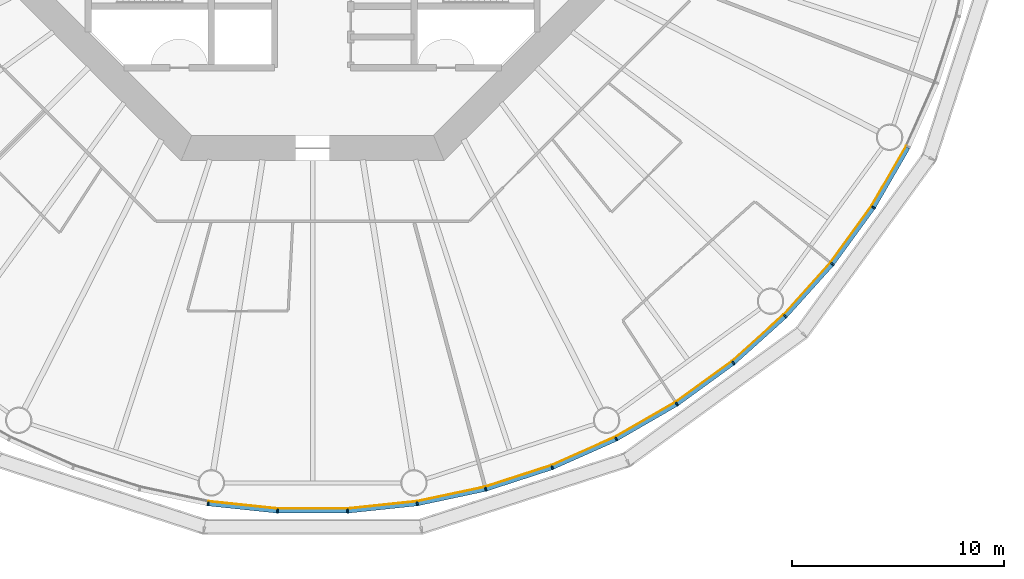
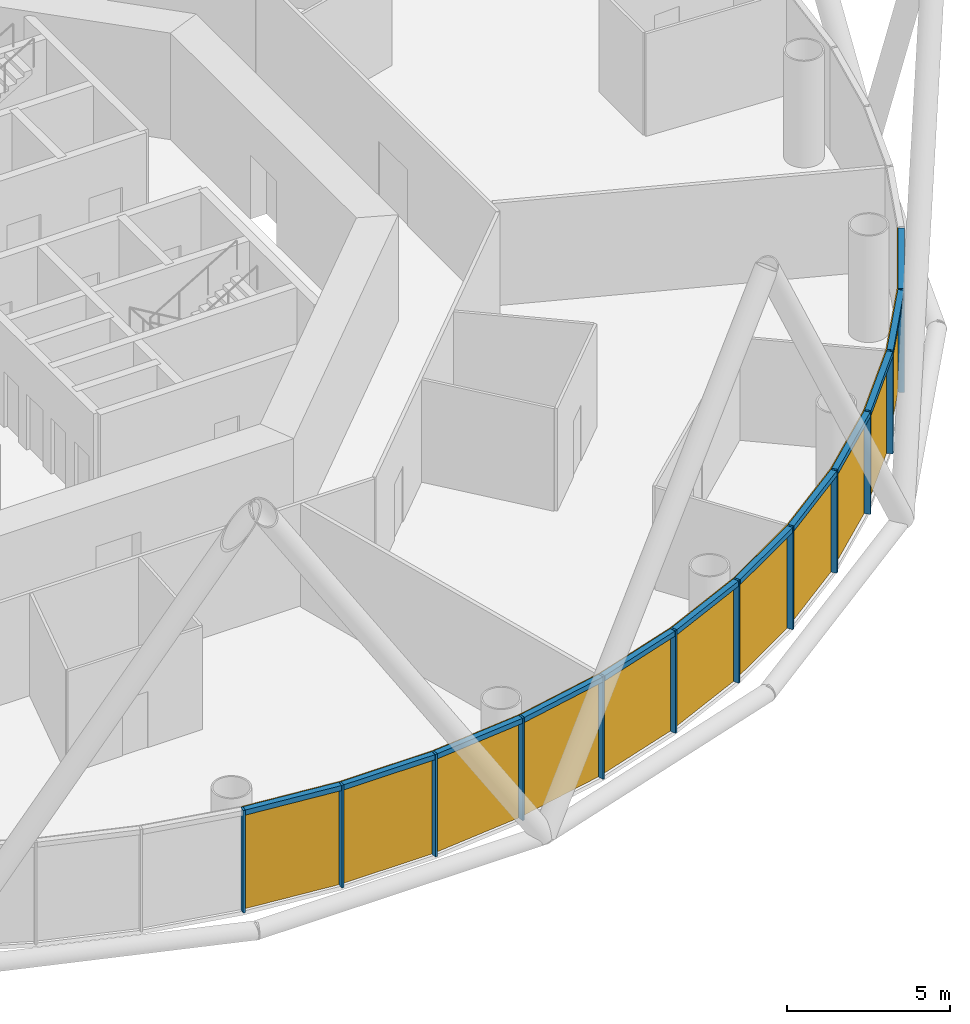
# One storey, part 8 of 13: 24 members, 4 curtain walls.
"""IFC4 building model written with IfcOpenShell, lengths in metres."""

import ifcopenshell
import ifcopenshell.guid

model = None  # the IFC model being written
_history = None  # IfcOwnerHistory: only IFC2X3 demands one
_inside = {}  # id of a spatial element -> (the spatial element, [elements in it])
_under = {}  # id of a project, library or spatial element -> (it, [spatial elements below it])
_declared = {}  # id of a project -> (the project, [libraries it declares])
_typed = {}  # id of a type object -> (the type object, [elements of that type])
_made_of = {}  # id of a material, layer set ... -> (it, [elements and type objects made of it])


def new_model(schema):
    """Start an empty IFC model of exactly this schema.

    Asked for "IFC4X3", IfcOpenShell would pick the latest addendum, in which some entities
    have other attributes; the version numbers below select the first issue.
    IFC2X3 requires an IfcOwnerHistory on every rooted entity: one is made here for all.
    """
    global model, _history
    if schema == "IFC4X3":
        model = ifcopenshell.file(schema_version=(4, 3, 0, 0))
    else:
        model = ifcopenshell.file(schema=schema)
    _inside.clear()
    _under.clear()
    _declared.clear()
    _typed.clear()
    _made_of.clear()
    _history = None
    if model.schema == "IFC2X3":
        org = make("IfcOrganization", Name="unknown")
        user = make(
            "IfcPersonAndOrganization",
            ThePerson=make("IfcPerson", FamilyName="unknown"),
            TheOrganization=org,
        )
        app = make(
            "IfcApplication",
            ApplicationDeveloper=org,
            Version="unknown",
            ApplicationFullName="unknown",
            ApplicationIdentifier="unknown",
        )
        _history = make(
            "IfcOwnerHistory",
            OwningUser=user,
            OwningApplication=app,
            ChangeAction="ADDED",
            CreationDate=0,
        )
    return model


def make(cls, **values):
    """One entity of the class cls with the attributes given. An attribute that is None is left unset."""
    return model.create_entity(
        cls, **{name: value for name, value in values.items() if value is not None}
    )


def rooted(cls, **values):
    """An entity with a GlobalId (a new one), such as an element, a storey or a relation."""
    return make(cls, GlobalId=ifcopenshell.guid.new(), OwnerHistory=_history, **values)


def si_unit(unit_type, name, prefix=None):
    """IfcSIUnit, for example si_unit("LENGTHUNIT", "METRE", prefix="MILLI")."""
    return make("IfcSIUnit", UnitType=unit_type, Prefix=prefix, Name=name)


def assignment(units):
    """IfcUnitAssignment: the units of a project."""
    return None if units is None else make("IfcUnitAssignment", Units=units)


def point(xyz):
    """IfcCartesianPoint."""
    return None if xyz is None else make("IfcCartesianPoint", Coordinates=xyz)


def direction(xyz):
    """IfcDirection."""
    return None if xyz is None else make("IfcDirection", DirectionRatios=xyz)


def frame(location, z_axis=None, x_axis=None):
    """IfcAxis2Placement3D, a coordinate frame: its origin and axes. An axis left out is left unset."""
    return make(
        "IfcAxis2Placement3D",
        Location=point(location),
        Axis=direction(z_axis),
        RefDirection=direction(x_axis),
    )


def frame_2d(location, x_axis=None):
    """IfcAxis2Placement2D, a coordinate frame in the plane: its origin and x axis."""
    return make(
        "IfcAxis2Placement2D", Location=point(location), RefDirection=direction(x_axis)
    )


def origin():
    """The frame at (0, 0, 0) with its axes left unset."""
    return frame((0.0, 0.0, 0.0))


def origin_2d():
    """The frame at (0, 0) in the plane with its x axis left unset."""
    return frame_2d((0.0, 0.0))


def place(relative_to, where):
    """IfcLocalPlacement: puts the frame where relative to a parent placement (None: the world)."""
    return make(
        "IfcLocalPlacement", PlacementRelTo=relative_to, RelativePlacement=where
    )


def context(
    kind, dimensions, precision=None, world=None, true_north=None, identifier=None
):
    """IfcGeometricRepresentationContext, for example the 3D "Model" context."""
    return make(
        "IfcGeometricRepresentationContext",
        ContextIdentifier=identifier,
        ContextType=kind,
        CoordinateSpaceDimension=dimensions,
        Precision=precision,
        WorldCoordinateSystem=world,
        TrueNorth=true_north,
    )


def subcontext(parent, identifier, kind, view, scale=None):
    """IfcGeometricRepresentationSubContext, for example "Body" below "Model"."""
    return make(
        "IfcGeometricRepresentationSubContext",
        ContextIdentifier=identifier,
        ContextType=kind,
        ParentContext=parent,
        TargetScale=scale,
        TargetView=view,
    )


def project(units=None, contexts=None):
    """IfcProject with its units and contexts."""
    return rooted(
        "IfcProject",
        Name="project",
        RepresentationContexts=contexts,
        UnitsInContext=assignment(units),
    )


def spatial(cls, under=None, at=None, **own):
    """A site, building, storey or space (cls), placed at a placement, below another one or the project."""
    s = rooted(cls, ObjectPlacement=at, **own)
    if under is not None:
        _under.setdefault(under.id(), (under, []))[1].append(s)
    return s


def polyline(points):
    """IfcPolyline through the points."""
    return make("IfcPolyline", Points=[point(p) for p in points])


def profile(cls, at=None, kind="AREA", **sizes):
    """A parametric profile (cls). Its sizes go by their IFC names, for example OverallWidth=200.0."""
    return make(cls, ProfileType=kind, Position=at, **sizes)


def rectangle(**sizes):
    """IfcRectangleProfileDef."""
    return profile("IfcRectangleProfileDef", **sizes)


def outline(outer, holes=None, kind="AREA"):
    """IfcArbitraryClosedProfileDef: a profile drawn as a closed curve; with holes, ...WithVoids."""
    if holes is None:
        return make("IfcArbitraryClosedProfileDef", ProfileType=kind, OuterCurve=outer)
    return make(
        "IfcArbitraryProfileDefWithVoids",
        ProfileType=kind,
        OuterCurve=outer,
        InnerCurves=holes,
    )


def extrude(swept, where, along, depth):
    """IfcExtrudedAreaSolid: the profile swept, set in the frame where, extruded along a direction by depth."""
    return make(
        "IfcExtrudedAreaSolid",
        SweptArea=swept,
        Position=where,
        ExtrudedDirection=direction(along),
        Depth=depth,
    )


def shape(context_of_items, identifier, shape_type, items):
    """IfcShapeRepresentation: the items that make up one representation, for example the "Body"."""
    return make(
        "IfcShapeRepresentation",
        ContextOfItems=context_of_items,
        RepresentationIdentifier=identifier,
        RepresentationType=shape_type,
        Items=items,
    )


def material(Name=None, Category=None):
    """IfcMaterial."""
    return make("IfcMaterial", Name=Name, Category=Category)


def layer(
    of_material, thickness, ventilated=None, Name=None, Category=None, Priority=None
):
    """IfcMaterialLayer: one layer of a wall or slab, of a material (None: an air gap)."""
    return make(
        "IfcMaterialLayer",
        Material=of_material,
        LayerThickness=thickness,
        IsVentilated=ventilated,
        Name=Name,
        Category=Category,
        Priority=Priority,
    )


def layer_set(layers, Name=None):
    """IfcMaterialLayerSet."""
    return make("IfcMaterialLayerSet", MaterialLayers=layers, LayerSetName=Name)


def material_profile(
    of_material, cross_section, Name=None, Category=None, Priority=None
):
    """IfcMaterialProfile: a cross section and its material."""
    return make(
        "IfcMaterialProfile",
        Name=Name,
        Material=of_material,
        Profile=cross_section,
        Priority=Priority,
        Category=Category,
    )


def profile_set(profiles, Name=None, composite=None):
    """IfcMaterialProfileSet."""
    return make(
        "IfcMaterialProfileSet",
        Name=Name,
        MaterialProfiles=profiles,
        CompositeProfile=composite,
    )


def made_of(thing, what):
    """Note that an element or type object is made of a material, layer set ...; save() writes the relation."""
    if what is not None:
        _made_of.setdefault(what.id(), (what, []))[1].append(thing)
    return thing


def type_object(cls, material=None, **own):
    """A type object (cls), such as IfcWallType, which elements share."""
    return made_of(rooted(cls, **own), material)


def element(
    cls,
    number,
    at=None,
    inside=None,
    cuts=None,
    type_object=None,
    material=None,
    context=None,
    identifier="Body",
    shape_type=None,
    held_by="IfcProductDefinitionShape",
    body=None,
    shapes=None,
    **own,
):
    """One element of the class cls, such as IfcWall. Its Tag is "e" and its number.

    at: its placement. inside: the storey or other place that contains it. cuts: it is an
    opening in that element (IfcRelVoidsElement). A single representation is given by context,
    identifier, shape_type and body (its items); several are given by shapes. held_by: the class
    of the entity that holds the representations. save() writes the other relations.
    """
    e = rooted(cls, Tag="e%d" % number, ObjectPlacement=at, **own)
    if body is not None:
        shapes = [shape(context, identifier, shape_type, body)]
    if shapes is not None:
        e.Representation = make(held_by, Representations=shapes)
    if inside is not None:
        _inside.setdefault(inside.id(), (inside, []))[1].append(e)
    if cuts is not None:
        rooted(
            "IfcRelVoidsElement", RelatingBuildingElement=cuts, RelatedOpeningElement=e
        )
    if type_object is not None:
        _typed.setdefault(type_object.id(), (type_object, []))[1].append(e)
    return made_of(e, material)


def aggregate(whole, parts):
    """IfcRelAggregates: a whole, such as a stair, and the parts it consists of."""
    return rooted("IfcRelAggregates", RelatingObject=whole, RelatedObjects=parts)


def save(model, path):
    """Write the relations noted so far, then the file.

    IfcRelAggregates (storeys below a building ...), IfcRelContainedInSpatialStructure (elements
    in a storey), IfcRelDefinesByType, IfcRelAssociatesMaterial and IfcRelDeclares: one each for
    every whole, place, type object, material and project.
    """
    for whole, parts in _under.values():
        aggregate(whole, parts)
    for where, things in _inside.values():
        rooted(
            "IfcRelContainedInSpatialStructure",
            RelatedElements=things,
            RelatingStructure=where,
        )
    for kind, things in _typed.values():
        rooted("IfcRelDefinesByType", RelatedObjects=things, RelatingType=kind)
    for what, things in _made_of.values():
        rooted("IfcRelAssociatesMaterial", RelatedObjects=things, RelatingMaterial=what)
    for by, libraries in _declared.values():
        rooted("IfcRelDeclares", RelatingContext=by, RelatedDefinitions=libraries)
    model.write(path)


model = new_model("IFC4")

# Units and contexts
model_context = context("Model", 3, precision=1e-05, world=origin(), true_north=direction((0.0, 1.0)))
body_context = subcontext(model_context, "Body", "Model", "MODEL_VIEW")
ifc_project = project(units=[si_unit("LENGTHUNIT", "METRE"), si_unit("AREAUNIT", "SQUARE_METRE"), si_unit("VOLUMEUNIT", "CUBIC_METRE"), si_unit("PLANEANGLEUNIT", "RADIAN"), si_unit("MASSUNIT", "GRAM", prefix="KILO")], contexts=[model_context])

# Member
ifc_material_1 = material(Name="Anodised aluminium", Category="aluminium")
ifc_material_profile_1 = material_profile(ifc_material_1, rectangle(XDim=0.070068359375, YDim=0.199951171875, at=origin_2d()), Name="Mullion 70 x 200 mm anodised aluminium")
ifc_profile_set_1 = profile_set([ifc_material_profile_1], Name="Anodised aluminium")
member_type_1 = type_object("IfcMemberType", Name="Mullion 70 x 200 mm anodised aluminium", PredefinedType="MULLION", material=ifc_profile_set_1)
site_placement = place(None, origin())
building_placement = place(site_placement, origin())
storey_placement = place(building_placement, frame((0.0, 0.0, 116.0)))
member_1_placement = place(storey_placement, frame((85.056640625, 48.7890625, 0.0), z_axis=(0.0, 0.0, 1.0), x_axis=(0.987688340595, -0.15643446504, 0.0)))
member_1 = element("IfcMember", 1, at=member_1_placement, type_object=member_type_1, Name="MULLION L26-42", PredefinedType="MULLION", context=body_context, shape_type="SweptSolid", body=[
    extrude(rectangle(XDim=0.070068359375, YDim=0.199951171875, at=origin_2d()), origin(), (0.0, 0.0, 1.0), 3.85009765625),
])

member_2_placement = place(storey_placement, frame((88.34619140625, 48.443359375, 0.0), z_axis=(0.0, 0.0, 1.0), x_axis=(0.998629534755, -0.052335956243, 0.0)))
member_2 = element("IfcMember", 2, at=member_2_placement, type_object=member_type_1, Name="MULLION L26-43", PredefinedType="MULLION", context=body_context, shape_type="SweptSolid", body=[
    extrude(rectangle(XDim=0.070068359375, YDim=0.199951171875, at=origin_2d()), origin(), (0.0, 0.0, 1.0), 3.85009765625),
])

member_3_placement = place(storey_placement, frame((91.65380859375, 48.443359375, 0.0), z_axis=(0.0, 0.0, 1.0), x_axis=(0.998629534755, 0.052335956243, 0.0)))
member_3 = element("IfcMember", 3, at=member_3_placement, type_object=member_type_1, Name="MULLION L26-44", PredefinedType="MULLION", context=body_context, shape_type="SweptSolid", body=[
    extrude(rectangle(XDim=0.070068359375, YDim=0.199951171875, at=origin_2d()), origin(), (0.0, 0.0, 1.0), 3.85009765625),
])

member_4_placement = place(storey_placement, frame((94.943359375, 48.7890625, 0.0), z_axis=(0.0, 0.0, 1.0), x_axis=(0.987688340595, 0.15643446504, 0.0)))
member_4 = element("IfcMember", 4, at=member_4_placement, type_object=member_type_1, Name="MULLION L26-45", PredefinedType="MULLION", context=body_context, shape_type="SweptSolid", body=[
    extrude(rectangle(XDim=0.070068359375, YDim=0.199951171875, at=origin_2d()), origin(), (0.0, 0.0, 1.0), 3.85009765625),
])

member_5_placement = place(storey_placement, frame((98.1787109375, 49.476806640625, 0.0), z_axis=(0.0, 0.0, 1.0), x_axis=(0.965925826289, 0.258819045103, 0.0)))
member_5 = element("IfcMember", 5, at=member_5_placement, type_object=member_type_1, Name="MULLION L26-46", PredefinedType="MULLION", context=body_context, shape_type="SweptSolid", body=[
    extrude(rectangle(XDim=0.070068359375, YDim=0.199951171875, at=origin_2d()), origin(), (0.0, 0.0, 1.0), 3.85009765625),
])

member_6_placement = place(storey_placement, frame((101.324462890625, 50.498779296875, 0.0), z_axis=(0.0, 0.0, 1.0), x_axis=(0.933580426497, 0.358367949545, 0.0)))
member_6 = element("IfcMember", 6, at=member_6_placement, type_object=member_type_1, Name="MULLION L26-47", PredefinedType="MULLION", context=body_context, shape_type="SweptSolid", body=[
    extrude(rectangle(XDim=0.070068359375, YDim=0.199951171875, at=origin_2d()), origin(), (0.0, 0.0, 1.0), 3.85009765625),
])

member_7_placement = place(storey_placement, frame((104.34619140625, 51.84423828125, 0.0), z_axis=(0.0, 0.0, 1.0), x_axis=(0.891006524188, 0.45399049974, 0.0)))
member_7 = element("IfcMember", 7, at=member_7_placement, type_object=member_type_1, Name="MULLION L26-48", PredefinedType="MULLION", context=body_context, shape_type="SweptSolid", body=[
    extrude(rectangle(XDim=0.070068359375, YDim=0.199951171875, at=origin_2d()), origin(), (0.0, 0.0, 1.0), 3.85009765625),
])

member_8_placement = place(storey_placement, frame((107.210693359375, 53.498046875, 0.0), z_axis=(0.0, 0.0, 1.0), x_axis=(0.838670567945, 0.544639035015, 0.0)))
member_8 = element("IfcMember", 8, at=member_8_placement, type_object=member_type_1, Name="MULLION L26-49", PredefinedType="MULLION", context=body_context, shape_type="SweptSolid", body=[
    extrude(rectangle(XDim=0.070068359375, YDim=0.199951171875, at=origin_2d()), origin(), (0.0, 0.0, 1.0), 3.85009765625),
])

member_9_placement = place(storey_placement, frame((109.886474609375, 55.442138671875, 0.0), z_axis=(0.0, 0.0, 1.0), x_axis=(0.777145961457, 0.62932039105, 0.0)))
member_9 = element("IfcMember", 9, at=member_9_placement, type_object=member_type_1, Name="MULLION L26-50", PredefinedType="MULLION", context=body_context, shape_type="SweptSolid", body=[
    extrude(rectangle(XDim=0.070068359375, YDim=0.199951171875, at=origin_2d()), origin(), (0.0, 0.0, 1.0), 3.85009765625),
])

member_10_placement = place(storey_placement, frame((112.344482421875, 57.655517578125, 0.0), z_axis=(0.0, 0.0, 1.0), x_axis=(0.707106781187, 0.707106781187, 0.0)))
member_10 = element("IfcMember", 10, at=member_10_placement, type_object=member_type_1, Name="MULLION L26-51", PredefinedType="MULLION", context=body_context, shape_type="SweptSolid", body=[
    extrude(rectangle(XDim=0.070068359375, YDim=0.199951171875, at=origin_2d()), origin(), (0.0, 0.0, 1.0), 3.85009765625),
])

member_11_placement = place(storey_placement, frame((114.557861328125, 60.113525390625, 0.0), z_axis=(0.0, 0.0, 1.0), x_axis=(0.62932039105, 0.777145961457, 0.0)))
member_11 = element("IfcMember", 11, at=member_11_placement, type_object=member_type_1, Name="MULLION L26-52", PredefinedType="MULLION", context=body_context, shape_type="SweptSolid", body=[
    extrude(rectangle(XDim=0.070068359375, YDim=0.199951171875, at=origin_2d()), origin(), (0.0, 0.0, 1.0), 3.85009765625),
])

member_12_placement = place(storey_placement, frame((116.501953125, 62.789306640625, 0.0), z_axis=(0.0, 0.0, 1.0), x_axis=(0.544639035015, 0.838670567945, 0.0)))
member_12 = element("IfcMember", 12, at=member_12_placement, type_object=member_type_1, Name="MULLION L26-53", PredefinedType="MULLION", context=body_context, shape_type="SweptSolid", body=[
    extrude(rectangle(XDim=0.070068359375, YDim=0.199951171875, at=origin_2d()), origin(), (0.0, 0.0, 1.0), 3.85009765625),
])

ifc_material_2 = material(Name="Anodised aluminium", Category="aluminium")
ifc_material_profile_2 = material_profile(ifc_material_2, rectangle(XDim=0.199951171875, YDim=0.18994140625, at=origin_2d()), Name="Transom 190 x 200 mm anodised aluminium")
ifc_profile_set_2 = profile_set([ifc_material_profile_2], Name="Anodised aluminium")
member_type_2 = type_object("IfcMemberType", Name="Transom 190 x 200 mm anodised aluminium", PredefinedType="USERDEFINED", material=ifc_profile_set_2)
member_13_placement = place(storey_placement, frame((85.0966796875, 48.78466796875, 3.7548828125), z_axis=(0.994519537956, -0.104550890115, 0.0), x_axis=(0.104550890115, 0.994519537956, 0.0)))
member_13 = element("IfcMember", 13, at=member_13_placement, type_object=member_type_2, Name="TRANSOM L26-42", ObjectType="TRANSOM", PredefinedType="USERDEFINED", context=body_context, shape_type="SweptSolid", body=[
    extrude(rectangle(XDim=0.199951171875, YDim=0.18994140625, at=origin_2d()), origin(), (0.0, 0.0, 1.0), 3.22705078125),
])

member_14_placement = place(storey_placement, frame((88.386474609375, 48.443115234375, 3.7548828125), z_axis=(1.0, 0.0, 0.0), x_axis=(0.0, 1.0, 0.0)))
member_14 = element("IfcMember", 14, at=member_14_placement, type_object=member_type_2, Name="TRANSOM L26-43", ObjectType="TRANSOM", PredefinedType="USERDEFINED", context=body_context, shape_type="SweptSolid", body=[
    extrude(rectangle(XDim=0.199951171875, YDim=0.18994140625, at=origin_2d()), origin(), (0.0, 0.0, 1.0), 3.22705078125),
])

member_15_placement = place(storey_placement, frame((91.69384765625, 48.447265625, 3.7548828125), z_axis=(0.994519537956, 0.104550890115, 0.0), x_axis=(-0.104550890115, 0.994519537956, 0.0)))
member_15 = element("IfcMember", 15, at=member_15_placement, type_object=member_type_2, Name="TRANSOM L26-44", ObjectType="TRANSOM", PredefinedType="USERDEFINED", context=body_context, shape_type="SweptSolid", body=[
    extrude(rectangle(XDim=0.199951171875, YDim=0.18994140625, at=origin_2d()), origin(), (0.0, 0.0, 1.0), 3.22705078125),
])

member_16_placement = place(storey_placement, frame((94.982666015625, 48.79736328125, 3.7548828125), z_axis=(0.978153082647, 0.207885898771, 0.0), x_axis=(-0.207885898771, 0.978153082647, 0.0)))
member_16 = element("IfcMember", 16, at=member_16_placement, type_object=member_type_2, Name="TRANSOM L26-45", ObjectType="TRANSOM", PredefinedType="USERDEFINED", context=body_context, shape_type="SweptSolid", body=[
    extrude(rectangle(XDim=0.199951171875, YDim=0.18994140625, at=origin_2d()), origin(), (0.0, 0.0, 1.0), 3.227294921875),
])

member_17_placement = place(storey_placement, frame((98.217041015625, 49.489013671875, 3.7548828125), z_axis=(0.951046855117, 0.309046726844, 0.0), x_axis=(-0.309046726844, 0.951046855117, 0.0)))
member_17 = element("IfcMember", 17, at=member_17_placement, type_object=member_type_2, Name="TRANSOM L26-46", ObjectType="TRANSOM", PredefinedType="USERDEFINED", context=body_context, shape_type="SweptSolid", body=[
    extrude(rectangle(XDim=0.199951171875, YDim=0.18994140625, at=origin_2d()), origin(), (0.0, 0.0, 1.0), 3.22705078125),
])

member_18_placement = place(storey_placement, frame((101.361328125, 50.51513671875, 3.7548828125), z_axis=(0.913549291349, 0.406728032322, 0.0), x_axis=(-0.406728032322, 0.913549291349, 0.0)))
member_18 = element("IfcMember", 18, at=member_18_placement, type_object=member_type_2, Name="TRANSOM L26-47", ObjectType="TRANSOM", PredefinedType="USERDEFINED", context=body_context, shape_type="SweptSolid", body=[
    extrude(rectangle(XDim=0.199951171875, YDim=0.18994140625, at=origin_2d()), origin(), (0.0, 0.0, 1.0), 3.22705078125),
])

member_19_placement = place(storey_placement, frame((104.381103515625, 51.8642578125, 3.7548828125), z_axis=(0.866023062494, 0.500004055213, 0.0), x_axis=(-0.500004055213, 0.866023062494, 0.0)))
member_19 = element("IfcMember", 19, at=member_19_placement, type_object=member_type_2, Name="TRANSOM L26-48", ObjectType="TRANSOM", PredefinedType="USERDEFINED", context=body_context, shape_type="SweptSolid", body=[
    extrude(rectangle(XDim=0.199951171875, YDim=0.18994140625, at=origin_2d()), origin(), (0.0, 0.0, 1.0), 3.22705078125),
])

member_20_placement = place(storey_placement, frame((107.2431640625, 53.521484375, 3.7548828125), z_axis=(0.809004252048, 0.587802790201, 0.0), x_axis=(-0.587802790201, 0.809004252048, 0.0)))
member_20 = element("IfcMember", 20, at=member_20_placement, type_object=member_type_2, Name="TRANSOM L26-49", ObjectType="TRANSOM", PredefinedType="USERDEFINED", context=body_context, shape_type="SweptSolid", body=[
    extrude(rectangle(XDim=0.199951171875, YDim=0.18994140625, at=origin_2d()), origin(), (0.0, 0.0, 1.0), 3.227294921875),
])

member_21_placement = place(storey_placement, frame((109.91650390625, 55.468994140625, 3.7548828125), z_axis=(0.743132370743, 0.669144438484, 0.0), x_axis=(-0.669144438484, 0.743132370743, 0.0)))
member_21 = element("IfcMember", 21, at=member_21_placement, type_object=member_type_2, Name="TRANSOM L26-50", ObjectType="TRANSOM", PredefinedType="USERDEFINED", context=body_context, shape_type="SweptSolid", body=[
    extrude(rectangle(XDim=0.199951171875, YDim=0.18994140625, at=origin_2d()), origin(), (0.0, 0.0, 1.0), 3.22705078125),
])

member_22_placement = place(storey_placement, frame((112.37158203125, 57.685302734375, 3.7548828125), z_axis=(0.669144438484, 0.743132370743, 0.0), x_axis=(-0.743132370743, 0.669144438484, 0.0)))
member_22 = element("IfcMember", 22, at=member_22_placement, type_object=member_type_2, Name="TRANSOM L26-51", ObjectType="TRANSOM", PredefinedType="USERDEFINED", context=body_context, shape_type="SweptSolid", body=[
    extrude(rectangle(XDim=0.199951171875, YDim=0.18994140625, at=origin_2d()), origin(), (0.0, 0.0, 1.0), 3.22705078125),
])

member_23_placement = place(storey_placement, frame((114.58154296875, 60.14599609375, 3.7548828125), z_axis=(0.587802790201, 0.809004252048, 0.0), x_axis=(-0.809004252048, 0.587802790201, 0.0)))
member_23 = element("IfcMember", 23, at=member_23_placement, type_object=member_type_2, Name="TRANSOM L26-52", ObjectType="TRANSOM", PredefinedType="USERDEFINED", context=body_context, shape_type="SweptSolid", body=[
    extrude(rectangle(XDim=0.199951171875, YDim=0.18994140625, at=origin_2d()), origin(), (0.0, 0.0, 1.0), 3.227294921875),
])

member_24_placement = place(storey_placement, frame((116.522216796875, 62.82421875, 3.7548828125), z_axis=(0.500004055213, 0.866023062494, 0.0), x_axis=(-0.866023062494, 0.500004055213, 0.0)))
member_24 = element("IfcMember", 24, at=member_24_placement, type_object=member_type_2, Name="TRANSOM L26-53", ObjectType="TRANSOM", PredefinedType="USERDEFINED", context=body_context, shape_type="SweptSolid", body=[
    extrude(rectangle(XDim=0.199951171875, YDim=0.18994140625, at=origin_2d()), origin(), (0.0, 0.0, 1.0), 3.22705078125),
])

# Site, building, storey
site = spatial("IfcSite", under=ifc_project, at=site_placement, CompositionType="ELEMENT")
building = spatial("IfcBuilding", under=site, at=building_placement, Name="Entoto Ring Tower", CompositionType="ELEMENT")
storey = spatial("IfcBuildingStorey", under=building, at=storey_placement, Name="L26", CompositionType="ELEMENT", Elevation=116.0)

# Curtain wall
ifc_material_3 = material(Name="Clear low-iron glass", Category="glass")
ifc_layer = layer(ifc_material_3, 0.035888671875)
ifc_layer_set = layer_set([ifc_layer], Name="Clear low-iron glass")
curtain_wall_type = type_object("IfcCurtainWallType", Name="Curtain wall system CW2 glazing 36 mm", PredefinedType="NOTDEFINED", material=ifc_layer_set)
curtain_wall_1_placement = place(storey_placement, origin())
curtain_wall_1 = element("IfcCurtainWall", 25, at=curtain_wall_1_placement, inside=storey, type_object=curtain_wall_type, Name="CW2 L26-15", PredefinedType="NOTDEFINED", context=body_context, shape_type="SweptSolid", body=[
    extrude(outline(polyline([(85.072265625, 48.8876953125), (88.351318359375, 48.543212890625), (91.648681640625, 48.543212890625), (94.927734375, 48.8876953125), (94.922119140625, 48.92333984375), (91.646728515625, 48.5791015625), (88.353271484375, 48.5791015625), (85.077880859375, 48.92333984375), (85.072265625, 48.8876953125)])), origin(), (0.0, 0.0, 1.0), 3.85009765625),
])

aggregate(curtain_wall_1, [member_1, member_2, member_3, member_13, member_14, member_15])

curtain_wall_2_placement = place(storey_placement, origin())
curtain_wall_2 = element("IfcCurtainWall", 26, at=curtain_wall_2_placement, inside=storey, type_object=curtain_wall_type, Name="CW2 L26-16", PredefinedType="NOTDEFINED", context=body_context, shape_type="SweptSolid", body=[
    extrude(outline(polyline([(94.927734375, 48.8876953125), (98.15283203125, 49.5732421875), (101.28857421875, 50.59228515625), (104.30078125, 51.933349609375), (104.284423828125, 51.96533203125), (101.275634765625, 50.6259765625), (98.1435546875, 49.608154296875), (94.922119140625, 48.92333984375), (94.927734375, 48.8876953125)])), origin(), (0.0, 0.0, 1.0), 3.85009765625),
])

aggregate(curtain_wall_2, [member_4, member_5, member_6, member_16, member_17, member_18])

curtain_wall_3_placement = place(storey_placement, origin())
curtain_wall_3 = element("IfcCurtainWall", 27, at=curtain_wall_3_placement, inside=storey, type_object=curtain_wall_type, Name="CW2 L26-17", PredefinedType="NOTDEFINED", context=body_context, shape_type="SweptSolid", body=[
    extrude(outline(polyline([(104.30078125, 51.933349609375), (107.15625, 53.581787109375), (109.823486328125, 55.52001953125), (112.27392578125, 57.72607421875), (112.248291015625, 57.751708984375), (109.801025390625, 55.5478515625), (107.136474609375, 53.612060546875), (104.284423828125, 51.96533203125), (104.30078125, 51.933349609375)])), origin(), (0.0, 0.0, 1.0), 3.85009765625),
])

aggregate(curtain_wall_3, [member_7, member_8, member_9, member_19, member_20, member_21])

curtain_wall_4_placement = place(storey_placement, origin())
curtain_wall_4 = element("IfcCurtainWall", 28, at=curtain_wall_4_placement, inside=storey, type_object=curtain_wall_type, Name="CW2 L26-18", PredefinedType="NOTDEFINED", context=body_context, shape_type="SweptSolid", body=[
    extrude(outline(polyline([(112.27392578125, 57.72607421875), (114.47998046875, 60.176513671875), (116.418212890625, 62.84375), (118.066650390625, 65.69921875), (118.03466796875, 65.715576171875), (116.387939453125, 62.863525390625), (114.4521484375, 60.198974609375), (112.248291015625, 57.751708984375), (112.27392578125, 57.72607421875)])), origin(), (0.0, 0.0, 1.0), 3.85009765625),
])

aggregate(curtain_wall_4, [member_10, member_11, member_12, member_22, member_23, member_24])

save(model, "model.ifc")
